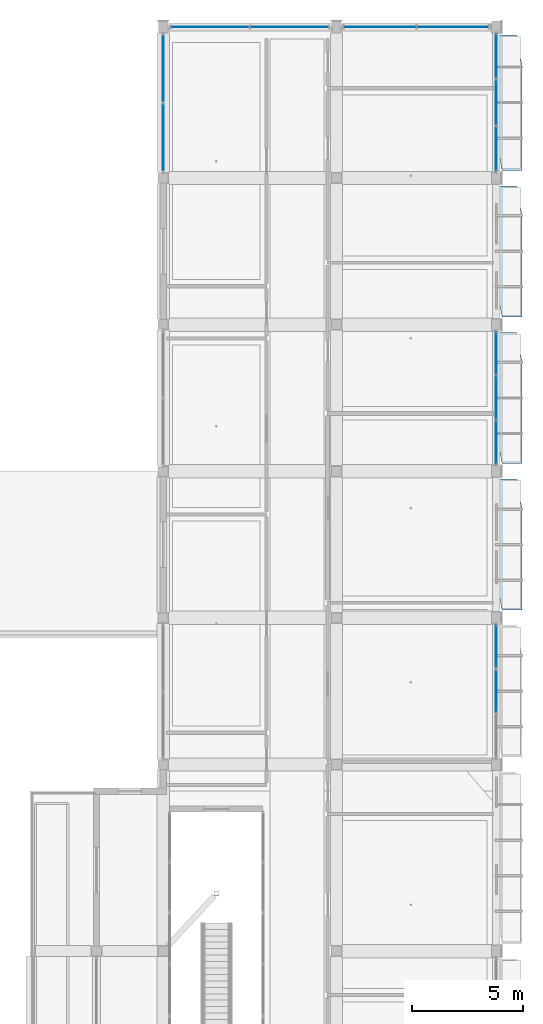
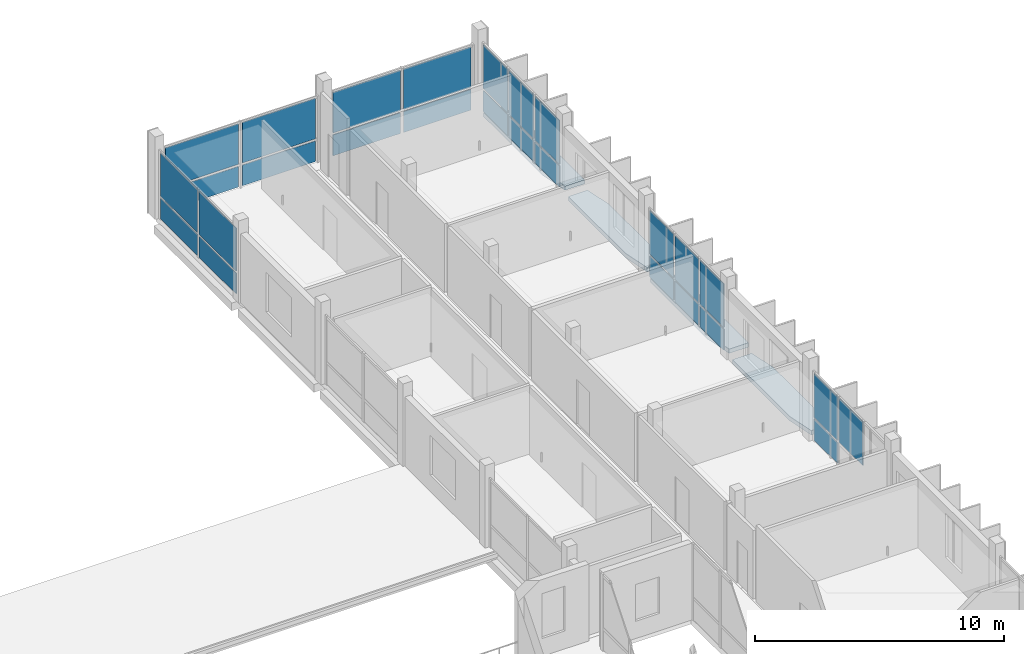
# One storey, part 45 of 86: 27 plates, 4 slabs, 6 elements without a shape of their own.
"""IFC4 building model written with IfcOpenShell, lengths in metres."""

from ifc_helpers import new_model, si_unit, derived_unit, direction, frame, origin, origin_2d, place, context, subcontext, project, spatial, polyline, rectangle, outline, extrude, material, layer, layer_set, type_object, element, aggregate, save


model = new_model("IFC4")

# Units and contexts
model_context = context("Model", 3, precision=1e-05, world=origin(), true_north=direction((0.0, 1.0)))
body_context = subcontext(model_context, "Body", "Model", "MODEL_VIEW")
ifc_project = project(units=[si_unit("LENGTHUNIT", "METRE"), si_unit("AREAUNIT", "SQUARE_METRE"), si_unit("VOLUMEUNIT", "CUBIC_METRE"), si_unit("PLANEANGLEUNIT", "RADIAN"), si_unit("MASSUNIT", "GRAM", prefix="KILO"), derived_unit("THERMALTRANSMITTANCEUNIT", [(si_unit("POWERUNIT", "WATT"), 1), (si_unit("LENGTHUNIT", "METRE"), -2), (si_unit("THERMODYNAMICTEMPERATUREUNIT", "KELVIN"), -1)])], contexts=[model_context])

# Site, building, storey
site_placement = place(None, origin())
site = spatial("IfcSite", under=ifc_project, at=site_placement, CompositionType="ELEMENT")
building_placement = place(site_placement, origin())
building = spatial("IfcBuilding", under=site, at=building_placement, Name="Braskholm Square Health Centre", CompositionType="ELEMENT")
storey_placement = place(building_placement, frame((0.0, 0.0, 13.5)))
storey = spatial("IfcBuildingStorey", under=building, at=storey_placement, Name="L04", CompositionType="ELEMENT", Elevation=13.5)

# Curtain wall, plate
ifc_material_1 = material(Name="Low-E triple insulating glass (VLT 0.64)", Category="glass")
curtain_wall_type = type_object("IfcCurtainWallType", Name="UnitisedCurtainWall6200x3650", PredefinedType="NOTDEFINED", material=ifc_material_1)
curtain_wall_1_placement = place(storey_placement, origin())
curtain_wall_1 = element("IfcCurtainWall", 1, at=curtain_wall_1_placement, inside=storey, type_object=curtain_wall_type, Name="East Outer unitised curtain wall CW-L04-0073", PredefinedType="NOTDEFINED")
ifc_material_2 = material(Name="Architectural bronze anodised aluminium", Category="aluminium")
plate_type_1 = type_object("IfcPlateType", Name="CurtainPanelSpandrel1850x1020", PredefinedType="CURTAIN_PANEL", material=ifc_material_2)
plate_1_placement = place(storey_placement, frame((163.800048828125, 85.919921875, 0.050048828125), z_axis=(0.0, 0.0, 1.0), x_axis=(0.0, 1.0, 0.0)))
plate_1 = element("IfcPlate", 2, at=plate_1_placement, type_object=plate_type_1, Name="CW-L04-0073 spandrel panel 3", PredefinedType="CURTAIN_PANEL", context=body_context, shape_type="SweptSolid", body=[
    extrude(rectangle(XDim=1.898681640625, YDim=0.035888671875, at=origin_2d()), origin(), (0.0, 0.0, 1.0), 1.02001953125),
])

# Curtain wall, plates
curtain_wall_2_placement = place(storey_placement, origin())
curtain_wall_2 = element("IfcCurtainWall", 3, at=curtain_wall_2_placement, inside=storey, type_object=curtain_wall_type, Name="East Outer unitised curtain wall CW-L04-0074", PredefinedType="NOTDEFINED")
plate_2_placement = place(storey_placement, frame((163.800048828125, 95.080078125, 0.050048828125), z_axis=(0.0, 0.0, 1.0), x_axis=(0.0, 1.0, 0.0)))
plate_2 = element("IfcPlate", 4, at=plate_2_placement, type_object=plate_type_1, Name="CW-L04-0074 spandrel panel 1", PredefinedType="CURTAIN_PANEL", context=body_context, shape_type="SweptSolid", body=[
    extrude(rectangle(XDim=1.898681640625, YDim=0.035888671875, at=origin_2d()), origin(), (0.0, 0.0, 1.0), 1.02001953125),
])
plate_3_placement = place(storey_placement, frame((163.800048828125, 97.10009765625, 0.050048828125), z_axis=(0.0, 0.0, 1.0), x_axis=(0.0, 1.0, 0.0)))
plate_3 = element("IfcPlate", 5, at=plate_3_placement, type_object=plate_type_1, Name="CW-L04-0074 spandrel panel 2", PredefinedType="CURTAIN_PANEL", context=body_context, shape_type="SweptSolid", body=[
    extrude(rectangle(XDim=1.898681640625, YDim=0.035888671875, at=origin_2d()), origin(), (0.0, 0.0, 1.0), 1.02001953125),
])
plate_4_placement = place(storey_placement, frame((163.800048828125, 99.1201171875, 0.050048828125), z_axis=(0.0, 0.0, 1.0), x_axis=(0.0, 1.0, 0.0)))
plate_4 = element("IfcPlate", 6, at=plate_4_placement, type_object=plate_type_1, Name="CW-L04-0074 spandrel panel 3", PredefinedType="CURTAIN_PANEL", context=body_context, shape_type="SweptSolid", body=[
    extrude(rectangle(XDim=1.898681640625, YDim=0.035888671875, at=origin_2d()), origin(), (0.0, 0.0, 1.0), 1.02001953125),
])

curtain_wall_3_placement = place(storey_placement, origin())
curtain_wall_3 = element("IfcCurtainWall", 7, at=curtain_wall_3_placement, inside=storey, type_object=curtain_wall_type, Name="East Outer unitised curtain wall CW-L04-0075", PredefinedType="NOTDEFINED")
plate_5_placement = place(storey_placement, frame((163.800048828125, 108.313232421875, 0.050048828125), z_axis=(0.0, 0.0, 1.0), x_axis=(0.0, 1.0, 0.0)))
plate_5 = element("IfcPlate", 8, at=plate_5_placement, type_object=plate_type_1, Name="CW-L04-0075 spandrel panel 1", PredefinedType="CURTAIN_PANEL", context=body_context, shape_type="SweptSolid", body=[
    extrude(rectangle(XDim=1.96142578125, YDim=0.035888671875, at=origin_2d()), origin(), (0.0, 0.0, 1.0), 1.02001953125),
])
plate_6_placement = place(storey_placement, frame((163.800048828125, 110.39990234375, 0.050048828125), z_axis=(0.0, 0.0, 1.0), x_axis=(0.0, 1.0, 0.0)))
plate_6 = element("IfcPlate", 9, at=plate_6_placement, type_object=plate_type_1, Name="CW-L04-0075 spandrel panel 2", PredefinedType="CURTAIN_PANEL", context=body_context, shape_type="SweptSolid", body=[
    extrude(rectangle(XDim=1.96142578125, YDim=0.035888671875, at=origin_2d()), origin(), (0.0, 0.0, 1.0), 1.02001953125),
])
plate_7_placement = place(storey_placement, frame((163.800048828125, 112.48681640625, 0.050048828125), z_axis=(0.0, 0.0, 1.0), x_axis=(0.0, 1.0, 0.0)))
plate_7 = element("IfcPlate", 10, at=plate_7_placement, type_object=plate_type_1, Name="CW-L04-0075 spandrel panel 3", PredefinedType="CURTAIN_PANEL", context=body_context, shape_type="SweptSolid", body=[
    extrude(rectangle(XDim=1.96142578125, YDim=0.035888671875, at=origin_2d()), origin(), (0.0, 0.0, 1.0), 1.02001953125),
])

curtain_wall_4_placement = place(storey_placement, origin())
curtain_wall_4 = element("IfcCurtainWall", 11, at=curtain_wall_4_placement, inside=storey, type_object=curtain_wall_type, Name="East Valley unitised curtain wall CW-L04-0136", PredefinedType="NOTDEFINED")
plate_type_2 = type_object("IfcPlateType", Name="CurtainPanelSpandrel3150x1020", PredefinedType="CURTAIN_PANEL", material=ifc_material_2)
plate_8_placement = place(storey_placement, frame((148.800048828125, 111.938720703125, 0.050048828125), z_axis=(0.0, 0.0, 1.0), x_axis=(0.0, -1.0, 0.0)))
plate_8 = element("IfcPlate", 12, at=plate_8_placement, type_object=plate_type_2, Name="CW-L04-0136 spandrel panel 1", PredefinedType="CURTAIN_PANEL", context=body_context, shape_type="SweptSolid", body=[
    extrude(rectangle(XDim=2.956298828125, YDim=0.035888671875, at=origin_2d()), origin(), (0.0, 0.0, 1.0), 1.02001953125),
])
plate_9_placement = place(storey_placement, frame((148.800048828125, 108.831298828125, 0.050048828125), z_axis=(0.0, 0.0, 1.0), x_axis=(0.0, -1.0, 0.0)))
plate_9 = element("IfcPlate", 13, at=plate_9_placement, type_object=plate_type_2, Name="CW-L04-0136 spandrel panel 2", PredefinedType="CURTAIN_PANEL", context=body_context, shape_type="SweptSolid", body=[
    extrude(rectangle(XDim=2.956298828125, YDim=0.035888671875, at=origin_2d()), origin(), (0.0, 0.0, 1.0), 1.02001953125),
])

curtain_wall_5_placement = place(storey_placement, origin())
curtain_wall_5 = element("IfcCurtainWall", 14, at=curtain_wall_5_placement, inside=storey, type_object=curtain_wall_type, Name="Wing End unitised curtain wall CW-L04-0167", PredefinedType="NOTDEFINED")
plate_10_placement = place(storey_placement, frame((161.840087890625, 113.800048828125, 0.050048828125), z_axis=(0.0, 0.0, 1.0), x_axis=(-1.0, 0.0, 0.0)))
plate_10 = element("IfcPlate", 15, at=plate_10_placement, type_object=plate_type_2, Name="CW-L04-0167 spandrel panel 1", PredefinedType="CURTAIN_PANEL", context=body_context, shape_type="SweptSolid", body=[
    extrude(rectangle(XDim=3.120849609375, YDim=0.035888671875, at=origin_2d()), origin(), (0.0, 0.0, 1.0), 1.02001953125),
])
plate_11_placement = place(storey_placement, frame((158.559814453125, 113.800048828125, 0.050048828125), z_axis=(0.0, 0.0, 1.0), x_axis=(-1.0, 0.0, 0.0)))
plate_11 = element("IfcPlate", 16, at=plate_11_placement, type_object=plate_type_2, Name="CW-L04-0167 spandrel panel 2", PredefinedType="CURTAIN_PANEL", context=body_context, shape_type="SweptSolid", body=[
    extrude(rectangle(XDim=3.120849609375, YDim=0.035888671875, at=origin_2d()), origin(), (0.0, 0.0, 1.0), 1.02001953125),
])

curtain_wall_6_placement = place(storey_placement, origin())
curtain_wall_6 = element("IfcCurtainWall", 17, at=curtain_wall_6_placement, inside=storey, type_object=curtain_wall_type, Name="Wing End unitised curtain wall CW-L04-0168", PredefinedType="NOTDEFINED")
plate_12_placement = place(storey_placement, frame((154.48828125, 113.800048828125, 0.050048828125), z_axis=(0.0, 0.0, 1.0), x_axis=(-1.0, 0.0, 0.0)))
plate_12 = element("IfcPlate", 18, at=plate_12_placement, type_object=plate_type_2, Name="CW-L04-0168 spandrel panel 1", PredefinedType="CURTAIN_PANEL", context=body_context, shape_type="SweptSolid", body=[
    extrude(rectangle(XDim=3.40283203125, YDim=0.035888671875, at=origin_2d()), origin(), (0.0, 0.0, 1.0), 1.02001953125),
])
plate_13_placement = place(storey_placement, frame((150.91162109375, 113.800048828125, 0.050048828125), z_axis=(0.0, 0.0, 1.0), x_axis=(-1.0, 0.0, 0.0)))
plate_13 = element("IfcPlate", 19, at=plate_13_placement, type_object=plate_type_2, Name="CW-L04-0168 spandrel panel 2", PredefinedType="CURTAIN_PANEL", context=body_context, shape_type="SweptSolid", body=[
    extrude(rectangle(XDim=3.40283203125, YDim=0.035888671875, at=origin_2d()), origin(), (0.0, 0.0, 1.0), 1.02001953125),
])

# Plate
plate_type_3 = type_object("IfcPlateType", Name="CurtainPanelVision1850x2120", PredefinedType="CURTAIN_PANEL", material=ifc_material_1)
plate_14_placement = place(storey_placement, frame((163.800048828125, 83.89990234375, 1.169921875), z_axis=(0.0, 0.0, 1.0), x_axis=(0.0, 1.0, 0.0)))
plate_14 = element("IfcPlate", 20, at=plate_14_placement, type_object=plate_type_3, Name="CW-L04-0073 vision glass panel 2", PredefinedType="CURTAIN_PANEL", context=body_context, shape_type="SweptSolid", body=[
    extrude(rectangle(XDim=1.898681640625, YDim=0.035888671875, at=origin_2d()), origin(), (0.0, 0.0, 1.0), 2.139892578125),
])

plate_15_placement = place(storey_placement, frame((163.800048828125, 85.919921875, 1.169921875), z_axis=(0.0, 0.0, 1.0), x_axis=(0.0, 1.0, 0.0)))
plate_15 = element("IfcPlate", 21, at=plate_15_placement, type_object=plate_type_3, Name="CW-L04-0073 vision glass panel 3", PredefinedType="CURTAIN_PANEL", context=body_context, shape_type="SweptSolid", body=[
    extrude(rectangle(XDim=1.898681640625, YDim=0.035888671875, at=origin_2d()), origin(), (0.0, 0.0, 1.0), 2.139892578125),
])

aggregate(curtain_wall_1, [plate_14, plate_1, plate_15])

plate_16_placement = place(storey_placement, frame((163.800048828125, 95.080078125, 1.169921875), z_axis=(0.0, 0.0, 1.0), x_axis=(0.0, 1.0, 0.0)))
plate_16 = element("IfcPlate", 22, at=plate_16_placement, type_object=plate_type_3, Name="CW-L04-0074 vision glass panel 1", PredefinedType="CURTAIN_PANEL", context=body_context, shape_type="SweptSolid", body=[
    extrude(rectangle(XDim=1.898681640625, YDim=0.035888671875, at=origin_2d()), origin(), (0.0, 0.0, 1.0), 2.139892578125),
])

plate_17_placement = place(storey_placement, frame((163.800048828125, 97.10009765625, 1.169921875), z_axis=(0.0, 0.0, 1.0), x_axis=(0.0, 1.0, 0.0)))
plate_17 = element("IfcPlate", 23, at=plate_17_placement, type_object=plate_type_3, Name="CW-L04-0074 vision glass panel 2", PredefinedType="CURTAIN_PANEL", context=body_context, shape_type="SweptSolid", body=[
    extrude(rectangle(XDim=1.898681640625, YDim=0.035888671875, at=origin_2d()), origin(), (0.0, 0.0, 1.0), 2.139892578125),
])

plate_18_placement = place(storey_placement, frame((163.800048828125, 99.1201171875, 1.169921875), z_axis=(0.0, 0.0, 1.0), x_axis=(0.0, 1.0, 0.0)))
plate_18 = element("IfcPlate", 24, at=plate_18_placement, type_object=plate_type_3, Name="CW-L04-0074 vision glass panel 3", PredefinedType="CURTAIN_PANEL", context=body_context, shape_type="SweptSolid", body=[
    extrude(rectangle(XDim=1.898681640625, YDim=0.035888671875, at=origin_2d()), origin(), (0.0, 0.0, 1.0), 2.139892578125),
])

aggregate(curtain_wall_2, [plate_2, plate_16, plate_3, plate_17, plate_4, plate_18])

plate_19_placement = place(storey_placement, frame((163.800048828125, 108.313232421875, 1.169921875), z_axis=(0.0, 0.0, 1.0), x_axis=(0.0, 1.0, 0.0)))
plate_19 = element("IfcPlate", 25, at=plate_19_placement, type_object=plate_type_3, Name="CW-L04-0075 vision glass panel 1", PredefinedType="CURTAIN_PANEL", context=body_context, shape_type="SweptSolid", body=[
    extrude(rectangle(XDim=1.96142578125, YDim=0.035888671875, at=origin_2d()), origin(), (0.0, 0.0, 1.0), 2.139892578125),
])

plate_20_placement = place(storey_placement, frame((163.800048828125, 110.39990234375, 1.169921875), z_axis=(0.0, 0.0, 1.0), x_axis=(0.0, 1.0, 0.0)))
plate_20 = element("IfcPlate", 26, at=plate_20_placement, type_object=plate_type_3, Name="CW-L04-0075 vision glass panel 2", PredefinedType="CURTAIN_PANEL", context=body_context, shape_type="SweptSolid", body=[
    extrude(rectangle(XDim=1.96142578125, YDim=0.035888671875, at=origin_2d()), origin(), (0.0, 0.0, 1.0), 2.139892578125),
])

plate_21_placement = place(storey_placement, frame((163.800048828125, 112.48681640625, 1.169921875), z_axis=(0.0, 0.0, 1.0), x_axis=(0.0, 1.0, 0.0)))
plate_21 = element("IfcPlate", 27, at=plate_21_placement, type_object=plate_type_3, Name="CW-L04-0075 vision glass panel 3", PredefinedType="CURTAIN_PANEL", context=body_context, shape_type="SweptSolid", body=[
    extrude(rectangle(XDim=1.96142578125, YDim=0.035888671875, at=origin_2d()), origin(), (0.0, 0.0, 1.0), 2.139892578125),
])

aggregate(curtain_wall_3, [plate_5, plate_19, plate_6, plate_20, plate_7, plate_21])

plate_type_4 = type_object("IfcPlateType", Name="CurtainPanelVision3150x2120", PredefinedType="CURTAIN_PANEL", material=ifc_material_1)
plate_22_placement = place(storey_placement, frame((148.800048828125, 111.938720703125, 1.169921875), z_axis=(0.0, 0.0, 1.0), x_axis=(0.0, -1.0, 0.0)))
plate_22 = element("IfcPlate", 28, at=plate_22_placement, type_object=plate_type_4, Name="CW-L04-0136 vision glass panel 1", PredefinedType="CURTAIN_PANEL", context=body_context, shape_type="SweptSolid", body=[
    extrude(rectangle(XDim=2.956298828125, YDim=0.035888671875, at=origin_2d()), origin(), (0.0, 0.0, 1.0), 2.110107421875),
])

plate_23_placement = place(storey_placement, frame((148.800048828125, 108.831298828125, 1.169921875), z_axis=(0.0, 0.0, 1.0), x_axis=(0.0, -1.0, 0.0)))
plate_23 = element("IfcPlate", 29, at=plate_23_placement, type_object=plate_type_4, Name="CW-L04-0136 vision glass panel 2", PredefinedType="CURTAIN_PANEL", context=body_context, shape_type="SweptSolid", body=[
    extrude(rectangle(XDim=2.956298828125, YDim=0.035888671875, at=origin_2d()), origin(), (0.0, 0.0, 1.0), 2.110107421875),
])

aggregate(curtain_wall_4, [plate_8, plate_22, plate_9, plate_23])

plate_24_placement = place(storey_placement, frame((161.840087890625, 113.800048828125, 1.169921875), z_axis=(0.0, 0.0, 1.0), x_axis=(-1.0, 0.0, 0.0)))
plate_24 = element("IfcPlate", 30, at=plate_24_placement, type_object=plate_type_4, Name="CW-L04-0167 vision glass panel 1", PredefinedType="CURTAIN_PANEL", context=body_context, shape_type="SweptSolid", body=[
    extrude(rectangle(XDim=3.120849609375, YDim=0.035888671875, at=origin_2d()), origin(), (0.0, 0.0, 1.0), 1.989990234375),
])

plate_25_placement = place(storey_placement, frame((158.559814453125, 113.800048828125, 1.169921875), z_axis=(0.0, 0.0, 1.0), x_axis=(-1.0, 0.0, 0.0)))
plate_25 = element("IfcPlate", 31, at=plate_25_placement, type_object=plate_type_4, Name="CW-L04-0167 vision glass panel 2", PredefinedType="CURTAIN_PANEL", context=body_context, shape_type="SweptSolid", body=[
    extrude(rectangle(XDim=3.120849609375, YDim=0.035888671875, at=origin_2d()), origin(), (0.0, 0.0, 1.0), 1.989990234375),
])

aggregate(curtain_wall_5, [plate_10, plate_24, plate_11, plate_25])

plate_26_placement = place(storey_placement, frame((154.48828125, 113.800048828125, 1.169921875), z_axis=(0.0, 0.0, 1.0), x_axis=(-1.0, 0.0, 0.0)))
plate_26 = element("IfcPlate", 32, at=plate_26_placement, type_object=plate_type_4, Name="CW-L04-0168 vision glass panel 1", PredefinedType="CURTAIN_PANEL", context=body_context, shape_type="SweptSolid", body=[
    extrude(rectangle(XDim=3.40283203125, YDim=0.035888671875, at=origin_2d()), origin(), (0.0, 0.0, 1.0), 1.989990234375),
])

plate_27_placement = place(storey_placement, frame((150.91162109375, 113.800048828125, 1.169921875), z_axis=(0.0, 0.0, 1.0), x_axis=(-1.0, 0.0, 0.0)))
plate_27 = element("IfcPlate", 33, at=plate_27_placement, type_object=plate_type_4, Name="CW-L04-0168 vision glass panel 2", PredefinedType="CURTAIN_PANEL", context=body_context, shape_type="SweptSolid", body=[
    extrude(rectangle(XDim=3.40283203125, YDim=0.035888671875, at=origin_2d()), origin(), (0.0, 0.0, 1.0), 1.989990234375),
])

aggregate(curtain_wall_6, [plate_12, plate_26, plate_13, plate_27])

# Slabs
ifc_material_3 = material(Name="Precast concrete C40/50 architectural white", Category="concrete")
ifc_layer = layer(ifc_material_3, 0.2099609375)
ifc_layer_set = layer_set([ifc_layer], Name="Precast concrete C40/50 architectural white")
slab_type = type_object("IfcSlabType", Name="PitchedAndCrownRoofSlab150", PredefinedType="ROOF", material=ifc_layer_set)
slab_1_placement = place(storey_placement, frame((0.0, 0.0, -0.2099609375)))
element("IfcSlab", 34, at=slab_1_placement, inside=storey, type_object=slab_type, Name="Level L04 East precast planter ledge 109", PredefinedType="ROOF", context=body_context, shape_type="SweptSolid", body=[
    extrude(outline(polyline([(164.052978515625, 87.550048828125), (164.949951171875, 87.550048828125), (164.949951171875, 92.152099609375), (164.697021484375, 93.449951171875), (163.800048828125, 93.449951171875), (163.800048828125, 88.847900390625), (164.052978515625, 87.550048828125)])), origin(), (0.0, 0.0, 1.0), 0.2099609375),
])
slab_2_placement = place(storey_placement, frame((0.0, 0.0, -0.2099609375)))
element("IfcSlab", 35, at=slab_2_placement, inside=storey, type_object=slab_type, Name="Level L04 East precast planter ledge 110", PredefinedType="ROOF", context=body_context, shape_type="SweptSolid", body=[
    extrude(outline(polyline([(164.052978515625, 94.14990234375), (164.949951171875, 94.14990234375), (164.949951171875, 98.751953125), (164.697021484375, 100.050048828125), (163.800048828125, 100.050048828125), (163.800048828125, 95.447998046875), (164.052978515625, 94.14990234375)])), origin(), (0.0, 0.0, 1.0), 0.2099609375),
])
slab_3_placement = place(storey_placement, frame((0.0, 0.0, -0.2099609375)))
element("IfcSlab", 36, at=slab_3_placement, inside=storey, type_object=slab_type, Name="Level L04 East precast planter ledge 111", PredefinedType="ROOF", context=body_context, shape_type="SweptSolid", body=[
    extrude(outline(polyline([(164.052978515625, 100.75), (164.949951171875, 100.75), (164.949951171875, 105.35205078125), (164.697021484375, 106.64990234375), (163.800048828125, 106.64990234375), (163.800048828125, 102.048095703125), (164.052978515625, 100.75)])), origin(), (0.0, 0.0, 1.0), 0.2099609375),
])
slab_4_placement = place(storey_placement, frame((0.0, 0.0, -0.2099609375)))
element("IfcSlab", 37, at=slab_4_placement, inside=storey, type_object=slab_type, Name="Level L04 East precast planter ledge 112", PredefinedType="ROOF", context=body_context, shape_type="SweptSolid", body=[
    extrude(outline(polyline([(164.052978515625, 107.35009765625), (164.949951171875, 107.35009765625), (164.949951171875, 112.10791015625), (164.697021484375, 113.449951171875), (163.800048828125, 113.449951171875), (163.800048828125, 108.69189453125), (164.052978515625, 107.35009765625)])), origin(), (0.0, 0.0, 1.0), 0.2099609375),
])

save(model, "model.ifc")
